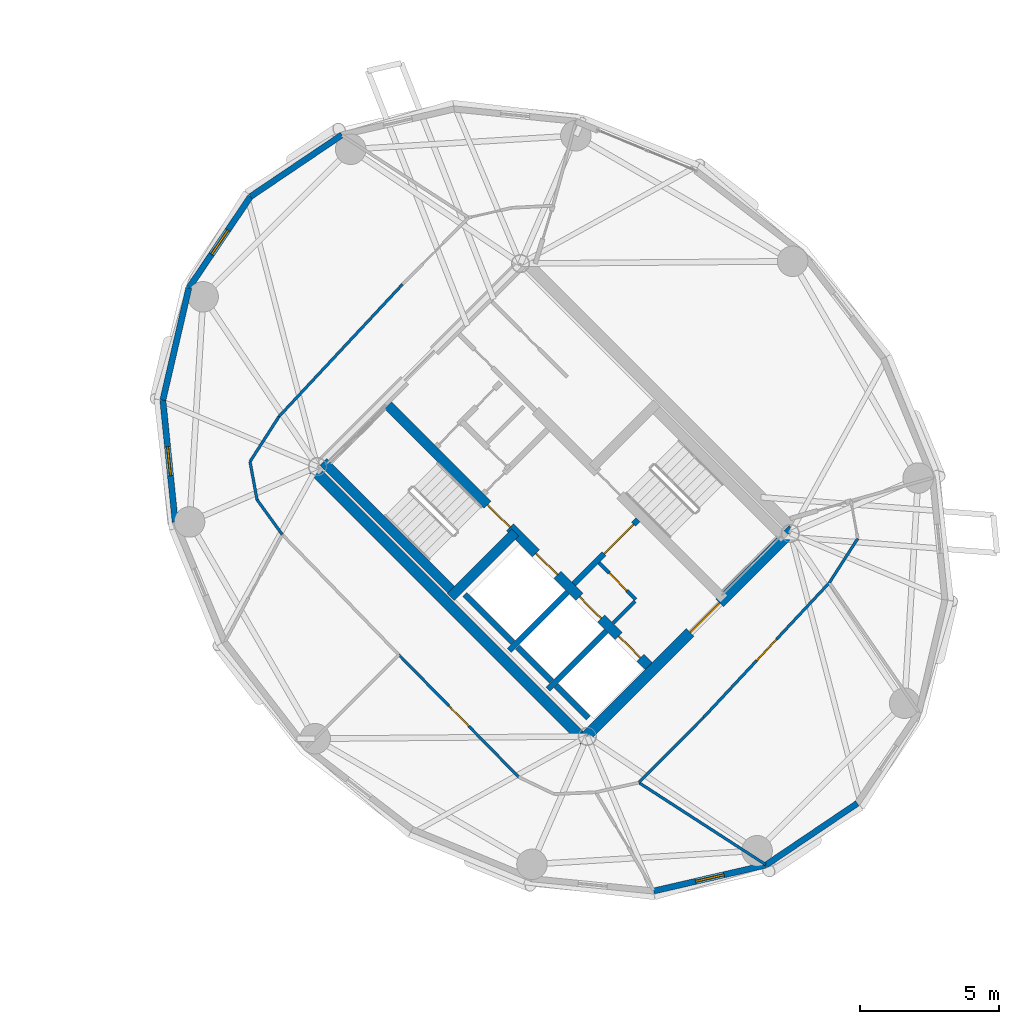
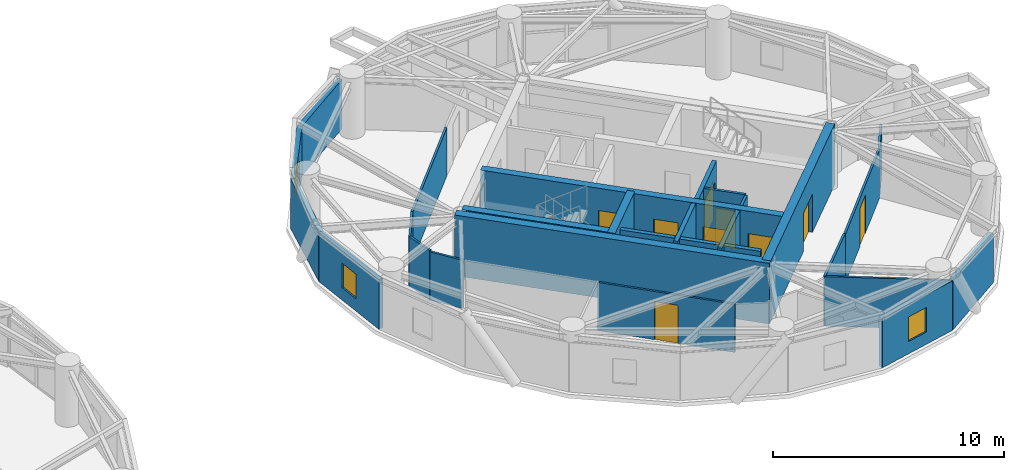
# One storey, part 11 of 15: 28 walls, 9 doors, 3 windows, 12 openings.
"""IFC4 building model written with IfcOpenShell, lengths in metres."""

from ifc_helpers import new_model, si_unit, direction, frame, frame_2d, origin, place, context, subcontext, project, spatial, rectangle, extrude, source, transform, mapped, material, layer, layer_set, type_object, element, fill, save


model = new_model("IFC4")

# Units and contexts
model_context = context("Model", 3, precision=1e-05, world=origin(), true_north=direction((0.0, 1.0)))
body_context = subcontext(model_context, "Body", "Model", "MODEL_VIEW")
ifc_project = project(units=[si_unit("LENGTHUNIT", "METRE"), si_unit("AREAUNIT", "SQUARE_METRE"), si_unit("VOLUMEUNIT", "CUBIC_METRE"), si_unit("PLANEANGLEUNIT", "RADIAN"), si_unit("MASSUNIT", "GRAM", prefix="KILO")], contexts=[model_context])

# Site, building, storey
site_placement = place(None, origin())
site = spatial("IfcSite", under=ifc_project, at=site_placement, CompositionType="ELEMENT")
building_placement = place(site_placement, origin())
building = spatial("IfcBuilding", under=site, at=building_placement, Name="Cununo Teusaquillo Station Towers", CompositionType="ELEMENT")
storey_placement = place(building_placement, frame((0.0, 0.0, 229.25)))
storey = spatial("IfcBuildingStorey", under=building, at=storey_placement, Name="L73", CompositionType="ELEMENT", Elevation=229.25)

# Walls
ifc_material_1 = material(Name="Concrete C50/60", Category="concrete")
ifc_layer_1 = layer(ifc_material_1, 0.199951171875)
ifc_layer_set_1 = layer_set([ifc_layer_1], Name="Concrete C50/60")
wall_type_1 = type_object("IfcWallType", Name="WL-CORE-200", PredefinedType="SHEAR", material=ifc_layer_set_1)
wall_1_placement = place(storey_placement, frame((55.8876953125, 19.0693359375, 0.0), z_axis=(0.0, 0.0, 1.0), x_axis=(0.707106781187, 0.707106781187, 0.0)))
element("IfcWall", 1, at=wall_1_placement, inside=storey, type_object=wall_type_1, Name="L73 Tower B Firefighting Lift Shaft South Shear Wall", PredefinedType="SHEAR", context=body_context, shape_type="SweptSolid", body=[
    extrude(rectangle(XDim=2.969970703125, YDim=0.199951171875, at=frame_2d((1.48486328125, 0.0))), origin(), (0.0, 0.0, 1.0), 3.199951171875),
])
wall_2_placement = place(storey_placement, frame((56.01513671875, 19.366455078125, 0.0), z_axis=(0.0, 0.0, 1.0), x_axis=(-0.707106781187, 0.707106781187, 0.0)))
element("IfcWall", 2, at=wall_2_placement, inside=storey, type_object=wall_type_1, Name="L73 Tower B Firefighting Lift Shaft Rear Shear Wall", PredefinedType="SHEAR", context=body_context, shape_type="SweptSolid", body=[
    extrude(rectangle(XDim=2.43994140625, YDim=0.199951171875, at=frame_2d((1.219970703125, 0.0))), origin(), (0.0, 0.0, 1.0), 3.199951171875),
])
wall_3_placement = place(storey_placement, frame((57.2841796875, 17.6728515625, 0.0), z_axis=(0.0, 0.0, 1.0), x_axis=(0.707147878904, 0.70706568108, 0.0)))
element("IfcWall", 3, at=wall_3_placement, inside=storey, type_object=wall_type_1, Name="L73 Tower B High-Rise Lift Hoistway Divider Shear Wall", PredefinedType="SHEAR", context=body_context, shape_type="SweptSolid", body=[
    extrude(rectangle(XDim=2.97021484375, YDim=0.199951171875, at=frame_2d((1.485107421875, 0.0))), origin(), (0.0, 0.0, 1.0), 3.199951171875),
])
wall_4_placement = place(storey_placement, frame((57.41162109375, 17.969970703125, 0.0), z_axis=(0.0, 0.0, 1.0), x_axis=(-0.707106781187, 0.707106781187, 0.0)))
element("IfcWall", 4, at=wall_4_placement, inside=storey, type_object=wall_type_1, Name="L73 Tower B High-Rise Lift 2 Shaft Rear Shear Wall", PredefinedType="SHEAR", context=body_context, shape_type="SweptSolid", body=[
    extrude(rectangle(XDim=1.73486328125, YDim=0.199951171875, at=frame_2d((0.867431640625, 0.0))), origin(), (0.0, 0.0, 1.0), 3.199951171875),
])
wall_5_placement = place(storey_placement, frame((58.7373046875, 16.64404296875, 0.0), z_axis=(0.0, 0.0, 1.0), x_axis=(-0.707032117043, 0.707181437447, 0.0)))
element("IfcWall", 5, at=wall_5_placement, inside=storey, type_object=wall_type_1, Name="L73 Tower B High-Rise Lift 1 Shaft Rear Shear Wall", PredefinedType="SHEAR", context=body_context, shape_type="SweptSolid", body=[
    extrude(rectangle(XDim=1.635009765625, YDim=0.199951171875, at=frame_2d((0.8173828125, 0.0))), origin(), (0.0, 0.0, 1.0), 3.199951171875),
])

# Wall, openings, doors
ifc_material_2 = material(Name="Concrete C50/60", Category="concrete")
ifc_layer_2 = layer(ifc_material_2, 0.35009765625)
ifc_layer_set_2 = layer_set([ifc_layer_2], Name="Concrete C50/60")
wall_type_2 = type_object("IfcWallType", Name="WL-CORE-350", PredefinedType="SHEAR", material=ifc_layer_set_2)
wall_6_placement = place(storey_placement, frame((61.060302734375, 18.372802734375, 0.0), z_axis=(0.0, 0.0, 1.0), x_axis=(-0.707106781187, 0.707106781187, 0.0)))
wall_6 = element("IfcWall", 6, at=wall_6_placement, inside=storey, type_object=wall_type_2, Name="L73 Tower B Core Shear Wall IW", PredefinedType="SHEAR", context=body_context, shape_type="SweptSolid", body=[
    extrude(rectangle(XDim=13.7001953125, YDim=0.35009765625, at=frame_2d((6.85009765625, 0.0))), origin(), (0.0, 0.0, 1.0), 3.199951171875),
])
shared_shape_1 = source(origin(), body_context, "Body", "SweptSolid", [
    extrude(rectangle(XDim=1.10009765625, YDim=2.014892578125, at=frame_2d((0.550048828125, 1.00732421875))), frame((0.0, 0.18505859375, 0.0), z_axis=(0.0, -1.0, 0.0), x_axis=(1.0, 0.0, 0.0)), (0.0, 0.0, 1.0), 0.3701171875),
])
opening_1_placement = place(wall_6_placement, frame((4.85009765625, 0.0, 0.0)))
opening_1 = element("IfcOpeningElement", 7, at=opening_1_placement, cuts=wall_6, Name="Opening LD-01", PredefinedType="OPENING", context=body_context, shape_type="MappedRepresentation", body=[
    mapped(shared_shape_1, transform((0.0, 0.0, 0.0), x_axis=(1.0, 0.0, 0.0), y_axis=(0.0, 1.0, 0.0), z_axis=(0.0, 0.0, 1.0), scale=1.0)),
])
opening_2_placement = place(wall_6_placement, frame((0.625, 0.0, 0.0)))
opening_2 = element("IfcOpeningElement", 8, at=opening_2_placement, cuts=wall_6, Name="Opening LD-01", PredefinedType="OPENING", context=body_context, shape_type="MappedRepresentation", body=[
    mapped(shared_shape_1, transform((0.0, 0.0, 0.0), x_axis=(1.0, 0.0, 0.0), y_axis=(0.0, 1.0, 0.0), z_axis=(0.0, 0.0, 1.0), scale=1.0)),
])
opening_3_placement = place(wall_6_placement, frame((2.625, 0.0, 0.0)))
opening_3 = element("IfcOpeningElement", 9, at=opening_3_placement, cuts=wall_6, Name="Opening LD-01", PredefinedType="OPENING", context=body_context, shape_type="MappedRepresentation", body=[
    mapped(shared_shape_1, transform((0.0, 0.0, 0.0), x_axis=(1.0, 0.0, 0.0), y_axis=(0.0, 1.0, 0.0), z_axis=(0.0, 0.0, 1.0), scale=1.0)),
])
shared_shape_2 = source(origin(), body_context, "Body", "SweptSolid", [
    extrude(rectangle(XDim=1.14990234375, YDim=2.02001953125, at=frame_2d((0.574951171875, 1.010009765625))), frame((0.0, 0.18505859375, 0.0), z_axis=(0.0, -1.0, 0.0), x_axis=(1.0, 0.0, 0.0)), (0.0, 0.0, 1.0), 0.3701171875),
])
opening_4_placement = place(wall_6_placement, frame((7.27001953125, 0.0, 0.0)))
opening_4 = element("IfcOpeningElement", 10, at=opening_4_placement, cuts=wall_6, Name="Opening D-ST1", PredefinedType="OPENING", context=body_context, shape_type="MappedRepresentation", body=[
    mapped(shared_shape_2, transform((0.0, 0.0, 0.0), x_axis=(1.0, 0.0, 0.0), y_axis=(0.0, 1.0, 0.0), z_axis=(0.0, 0.0, 1.0), scale=1.0)),
])
ifc_material_3 = material(Name="Galvanised fire-rated hollow steel door assembly", Category="steel")
door_type_1 = type_object("IfcDoorType", Name="DR-LIFT-1100", OperationType="SLIDING_TO_LEFT", PredefinedType="DOOR", material=ifc_material_3)
shared_shape_3 = source(origin(), body_context, "Body", "SweptSolid", [
    extrude(rectangle(XDim=1.10009765625, YDim=2.014892578125, at=frame_2d((0.550048828125, 1.00732421875))), frame((0.0, 0.02490234375, 0.0), z_axis=(0.0, -1.0, 0.0), x_axis=(1.0, 0.0, 0.0)), (0.0, 0.0, 1.0), 0.050048828125),
])
door_1_placement = place(opening_1_placement, origin())
door_1 = element("IfcDoor", 11, at=door_1_placement, inside=storey, type_object=door_type_1, Name="L73 Lift FL-T2 Sliding Landing Door", OperationType="SLIDING_TO_LEFT", OverallHeight=2.014892578125, OverallWidth=1.10009765625, PredefinedType="DOOR", context=body_context, shape_type="MappedRepresentation", body=[
    mapped(shared_shape_3, transform((0.0, 0.0, 0.0), x_axis=(1.0, 0.0, 0.0), y_axis=(0.0, 1.0, 0.0), z_axis=(0.0, 0.0, 1.0), scale=1.0)),
])
fill(opening_1, door_1)
door_2_placement = place(opening_2_placement, origin())
door_2 = element("IfcDoor", 12, at=door_2_placement, inside=storey, type_object=door_type_1, Name="L73 Lift PL-T2-H1 Sliding Landing Door", OperationType="SLIDING_TO_LEFT", OverallHeight=2.014892578125, OverallWidth=1.10009765625, PredefinedType="DOOR", context=body_context, shape_type="MappedRepresentation", body=[
    mapped(shared_shape_3, transform((0.0, 0.0, 0.0), x_axis=(1.0, 0.0, 0.0), y_axis=(0.0, 1.0, 0.0), z_axis=(0.0, 0.0, 1.0), scale=1.0)),
])
fill(opening_2, door_2)
door_3_placement = place(opening_3_placement, origin())
door_3 = element("IfcDoor", 13, at=door_3_placement, inside=storey, type_object=door_type_1, Name="L73 Lift PL-T2-H2 Sliding Landing Door", OperationType="SLIDING_TO_RIGHT", OverallHeight=2.014892578125, OverallWidth=1.10009765625, PredefinedType="DOOR", context=body_context, shape_type="MappedRepresentation", body=[
    mapped(shared_shape_3, transform((0.0, 0.0, 0.0), x_axis=(1.0, 0.0, 0.0), y_axis=(0.0, 1.0, 0.0), z_axis=(0.0, 0.0, 1.0), scale=1.0)),
])
fill(opening_3, door_3)
ifc_material_4 = material(Name="Galvanised fire-rated hollow steel door assembly", Category="steel")
door_type_2 = type_object("IfcDoorType", Name="DR-STAIR-1150", OperationType="NOTDEFINED", PredefinedType="DOOR", material=ifc_material_4)
shared_shape_4 = source(origin(), body_context, "Body", "SweptSolid", [
    extrude(rectangle(XDim=1.14990234375, YDim=2.02001953125, at=frame_2d((0.574951171875, 1.010009765625))), frame((0.0, 0.02490234375, 0.0), z_axis=(0.0, -1.0, 0.0), x_axis=(1.0, 0.0, 0.0)), (0.0, 0.0, 1.0), 0.050048828125),
])
door_4_placement = place(opening_4_placement, origin())
door_4 = element("IfcDoor", 14, at=door_4_placement, inside=storey, type_object=door_type_2, Name="L73 Tower B Exit Stair 1 Fire Door", OperationType="SINGLE_SWING_RIGHT", OverallHeight=2.02001953125, OverallWidth=1.14990234375, PredefinedType="DOOR", context=body_context, shape_type="MappedRepresentation", body=[
    mapped(shared_shape_4, transform((0.0, 0.0, 0.0), x_axis=(1.0, 0.0, 0.0), y_axis=(0.0, 1.0, 0.0), z_axis=(0.0, 0.0, 1.0), scale=1.0)),
])
fill(opening_4, door_4)

# Walls
wall_7_placement = place(storey_placement, frame((53.922119140625, 21.14111328125, 0.0), z_axis=(0.0, 0.0, 1.0), x_axis=(-0.707106781187, 0.707106781187, 0.0)))
element("IfcWall", 15, at=wall_7_placement, inside=storey, type_object=wall_type_2, Name="L73 Tower B Core Shear Wall ST1W", PredefinedType="SHEAR", context=body_context, shape_type="SweptSolid", body=[
    extrude(rectangle(XDim=6.695068359375, YDim=0.35009765625, at=frame_2d((3.34765625, 0.0))), origin(), (0.0, 0.0, 1.0), 3.199951171875),
])
wall_8_placement = place(storey_placement, frame((53.7841796875, 21.00341796875, 0.0), z_axis=(0.0, 0.0, 1.0), x_axis=(0.707106781187, 0.707106781187, 0.0)))
element("IfcWall", 16, at=wall_8_placement, inside=storey, type_object=wall_type_2, Name="L73 Tower B Core Shear Wall ST1S", PredefinedType="SHEAR", context=body_context, shape_type="SweptSolid", body=[
    extrude(rectangle(XDim=3.284912109375, YDim=0.35009765625, at=frame_2d((1.642578125, 0.0))), origin(), (0.0, 0.0, 1.0), 3.199951171875),
])
ifc_material_5 = material(Name="Concrete C50/60", Category="concrete")
ifc_layer_3 = layer(ifc_material_5, 0.39990234375)
ifc_layer_set_3 = layer_set([ifc_layer_3], Name="Concrete C50/60")
wall_type_3 = type_object("IfcWallType", Name="WL-CORE-400", PredefinedType="SHEAR", material=ifc_layer_set_3)
wall_9_placement = place(storey_placement, frame((58.7021484375, 15.73193359375, 0.0), z_axis=(0.0, 0.0, 1.0), x_axis=(-0.707106781187, 0.707106781187, 0.0)))
element("IfcWall", 17, at=wall_9_placement, inside=storey, type_object=wall_type_3, Name="L73 Tower B Core Shear Wall W", PredefinedType="SHEAR", context=body_context, shape_type="SweptSolid", body=[
    extrude(rectangle(XDim=14.10009765625, YDim=0.39990234375, at=frame_2d((7.050048828125, 0.0))), origin(), (0.0, 0.0, 1.0), 3.199951171875),
])

# Wall, opening, door
wall_10_placement = place(storey_placement, frame((58.560791015625, 15.873291015625, 0.0), z_axis=(0.0, 0.0, 1.0), x_axis=(0.707106781187, 0.707106781187, 0.0)))
wall_10 = element("IfcWall", 18, at=wall_10_placement, inside=storey, type_object=wall_type_3, Name="L73 Tower B Core Shear Wall S", PredefinedType="SHEAR", context=body_context, shape_type="SweptSolid", body=[
    extrude(rectangle(XDim=10.69970703125, YDim=0.39990234375, at=frame_2d((5.349853515625, 0.0))), origin(), (0.0, 0.0, 1.0), 3.199951171875),
])
shared_shape_5 = source(origin(), body_context, "Body", "SweptSolid", [
    extrude(rectangle(XDim=1.5, YDim=2.02001953125, at=frame_2d((0.75, 1.010009765625))), frame((0.0, 0.2099609375, 0.0), z_axis=(0.0, -1.0, 0.0), x_axis=(1.0, 0.0, 0.0)), (0.0, 0.0, 1.0), 0.419921875),
])
opening_5_placement = place(wall_10_placement, frame((5.449951171875, 0.0, 0.0)))
opening_5 = element("IfcOpeningElement", 19, at=opening_5_placement, cuts=wall_10, Name="Opening D-LB1", PredefinedType="OPENING", context=body_context, shape_type="MappedRepresentation", body=[
    mapped(shared_shape_5, transform((0.0, 0.0, 0.0), x_axis=(1.0, 0.0, 0.0), y_axis=(0.0, 1.0, 0.0), z_axis=(0.0, 0.0, 1.0), scale=1.0)),
])
ifc_material_6 = material(Name="Galvanised fire-rated hollow steel door assembly", Category="steel")
door_type_3 = type_object("IfcDoorType", Name="DR-LOBBY-1500", OperationType="DOUBLE_DOOR_SINGLE_SWING", PredefinedType="DOOR", material=ifc_material_6)
shared_shape_6 = source(origin(), body_context, "Body", "SweptSolid", [
    extrude(rectangle(XDim=1.5, YDim=2.02001953125, at=frame_2d((0.75, 1.010009765625))), frame((0.0, 0.02490234375, 0.0), z_axis=(0.0, -1.0, 0.0), x_axis=(1.0, 0.0, 0.0)), (0.0, 0.0, 1.0), 0.050048828125),
])
door_5_placement = place(opening_5_placement, origin())
door_5 = element("IfcDoor", 20, at=door_5_placement, inside=storey, type_object=door_type_3, Name="L73 Tower B South Core Lift Lobby Door", OperationType="DOUBLE_DOOR_SINGLE_SWING", OverallHeight=2.02001953125, OverallWidth=1.5, PredefinedType="DOOR", context=body_context, shape_type="MappedRepresentation", body=[
    mapped(shared_shape_6, transform((0.0, 0.0, 0.0), x_axis=(1.0, 0.0, 0.0), y_axis=(0.0, 1.0, 0.0), z_axis=(0.0, 0.0, 1.0), scale=1.0)),
])
fill(opening_5, door_5)

# Wall
ifc_material_7 = material(Name="Precast concrete C40/50", Category="concrete")
ifc_layer_4 = layer(ifc_material_7, 0.219970703125)
ifc_layer_set_4 = layer_set([ifc_layer_4], Name="Precast concrete C40/50")
wall_type_4 = type_object("IfcWallType", Name="WL-EXT-220", PredefinedType="SOLIDWALL", material=ifc_layer_set_4)
wall_11_placement = place(storey_placement, frame((46.56103515625, 35.43896484375, 0.0), z_axis=(0.0, 0.0, 1.0), x_axis=(0.828833723692, 0.559495003079, 0.0)))
element("IfcWall", 21, at=wall_11_placement, inside=storey, type_object=wall_type_4, Name="L73 Tower B Exterior Facade Wall C04", PredefinedType="SOLIDWALL", context=body_context, shape_type="SweptSolid", body=[
    extrude(rectangle(XDim=3.9755859375, YDim=0.219970703125, at=frame_2d((1.98779296875, 0.0))), origin(), (0.0, 0.0, 1.0), 2.612060546875),
])

# Wall, opening, window
wall_12_placement = place(storey_placement, frame((44.336669921875, 32.143798828125, 0.0), z_axis=(0.0, 0.0, 1.0), x_axis=(0.559495003079, 0.828833723692, 0.0)))
wall_12 = element("IfcWall", 22, at=wall_12_placement, inside=storey, type_object=wall_type_4, Name="L73 Tower B Exterior Facade Wall C05", PredefinedType="SOLIDWALL", context=body_context, shape_type="SweptSolid", body=[
    extrude(rectangle(XDim=3.9755859375, YDim=0.219970703125, at=frame_2d((1.98779296875, 0.0))), origin(), (0.0, 0.0, 1.0), 2.612060546875),
])
shared_shape_7 = source(origin(), body_context, "Body", "SweptSolid", [
    extrude(rectangle(XDim=1.050048828125, YDim=1.300048828125, at=frame_2d((0.52490234375, 0.64990234375))), frame((0.0, 0.119873046875, 0.0), z_axis=(0.0, -1.0, 0.0), x_axis=(1.0, 0.0, 0.0)), (0.0, 0.0, 1.0), 0.239990234375),
])
opening_6_placement = place(wall_12_placement, frame((1.462890625, 0.0, 0.64990234375)))
opening_6 = element("IfcOpeningElement", 23, at=opening_6_placement, cuts=wall_12, Name="Opening WN-04", PredefinedType="OPENING", context=body_context, shape_type="MappedRepresentation", body=[
    mapped(shared_shape_7, transform((0.0, 0.0, 0.0), x_axis=(1.0, 0.0, 0.0), y_axis=(0.0, 1.0, 0.0), z_axis=(0.0, 0.0, 1.0), scale=1.0)),
])
ifc_material_8 = material(Name="Operable acoustic tinted low-E double glazing", Category="glass")
window_type = type_object("IfcWindowType", Name="WIN-BAL-1050", PartitioningType="SINGLE_PANEL", PredefinedType="WINDOW", material=ifc_material_8)
shared_shape_8 = source(origin(), body_context, "Body", "SweptSolid", [
    extrude(rectangle(XDim=1.050048828125, YDim=1.300048828125, at=frame_2d((0.52490234375, 0.64990234375))), frame((0.0, 0.030029296875, 0.0), z_axis=(0.0, -1.0, 0.0), x_axis=(1.0, 0.0, 0.0)), (0.0, 0.0, 1.0), 0.06005859375),
])
window_1_placement = place(opening_6_placement, origin())
window_1 = element("IfcWindow", 24, at=window_1_placement, inside=storey, type_object=window_type, Name="L73 Tower B Facade Window C05", OverallHeight=1.300048828125, OverallWidth=1.050048828125, PartitioningType="SINGLE_PANEL", PredefinedType="WINDOW", context=body_context, shape_type="MappedRepresentation", body=[
    mapped(shared_shape_8, transform((0.0, 0.0, 0.0), x_axis=(1.0, 0.0, 0.0), y_axis=(0.0, 1.0, 0.0), z_axis=(0.0, 0.0, 1.0), scale=1.0)),
])
fill(opening_6, window_1)

# Wall
wall_13_placement = place(storey_placement, frame((43.40087890625, 28.100341796875, 0.0), z_axis=(0.0, 0.0, 1.0), x_axis=(0.225473813158, 0.974249228678, 0.0)))
element("IfcWall", 25, at=wall_13_placement, inside=storey, type_object=wall_type_4, Name="L73 Tower B Exterior Facade Wall C06", PredefinedType="SOLIDWALL", context=body_context, shape_type="SweptSolid", body=[
    extrude(rectangle(XDim=4.150390625, YDim=0.219970703125, at=frame_2d((2.0751953125, 0.0))), origin(), (0.0, 0.0, 1.0), 2.612060546875),
])

# Wall, opening, window
wall_14_placement = place(storey_placement, frame((43.84521484375, 23.70458984375, 0.0), z_axis=(0.0, 0.0, 1.0), x_axis=(-0.100570534541, 0.994929930991, 0.0)))
wall_14 = element("IfcWall", 26, at=wall_14_placement, inside=storey, type_object=wall_type_4, Name="L73 Tower B Exterior Facade Wall C07", PredefinedType="SOLIDWALL", context=body_context, shape_type="SweptSolid", body=[
    extrude(rectangle(XDim=4.418212890625, YDim=0.219970703125, at=frame_2d((2.208984375, 0.0))), origin(), (0.0, 0.0, 1.0), 2.612060546875),
])
opening_7_placement = place(wall_14_placement, frame((1.68408203125, 0.0, 0.64990234375)))
opening_7 = element("IfcOpeningElement", 27, at=opening_7_placement, cuts=wall_14, Name="Opening WN-04", PredefinedType="OPENING", context=body_context, shape_type="MappedRepresentation", body=[
    mapped(shared_shape_7, transform((0.0, 0.0, 0.0), x_axis=(1.0, 0.0, 0.0), y_axis=(0.0, 1.0, 0.0), z_axis=(0.0, 0.0, 1.0), scale=1.0)),
])
window_2_placement = place(opening_7_placement, origin())
window_2 = element("IfcWindow", 28, at=window_2_placement, inside=storey, type_object=window_type, Name="L73 Tower B Facade Window C07", OverallHeight=1.300048828125, OverallWidth=1.050048828125, PartitioningType="SINGLE_PANEL", PredefinedType="WINDOW", context=body_context, shape_type="MappedRepresentation", body=[
    mapped(shared_shape_8, transform((0.0, 0.0, 0.0), x_axis=(1.0, 0.0, 0.0), y_axis=(0.0, 1.0, 0.0), z_axis=(0.0, 0.0, 1.0), scale=1.0)),
])
fill(opening_7, window_2)

wall_15_placement = place(storey_placement, frame((65.143798828125, 11.336669921875, 0.0), z_axis=(0.0, 0.0, 1.0), x_axis=(-0.974249228678, -0.225473813158, 0.0)))
wall_15 = element("IfcWall", 29, at=wall_15_placement, inside=storey, type_object=wall_type_4, Name="L73 Tower B Exterior Facade Wall C13", PredefinedType="SOLIDWALL", context=body_context, shape_type="SweptSolid", body=[
    extrude(rectangle(XDim=4.150390625, YDim=0.219970703125, at=frame_2d((2.0751953125, 0.0))), origin(), (0.0, 0.0, 1.0), 2.612060546875),
])
opening_8_placement = place(wall_15_placement, frame((1.550048828125, 0.0, 0.64990234375)))
opening_8 = element("IfcOpeningElement", 30, at=opening_8_placement, cuts=wall_15, Name="Opening WN-04", PredefinedType="OPENING", context=body_context, shape_type="MappedRepresentation", body=[
    mapped(shared_shape_7, transform((0.0, 0.0, 0.0), x_axis=(1.0, 0.0, 0.0), y_axis=(0.0, 1.0, 0.0), z_axis=(0.0, 0.0, 1.0), scale=1.0)),
])
window_3_placement = place(opening_8_placement, origin())
window_3 = element("IfcWindow", 31, at=window_3_placement, inside=storey, type_object=window_type, Name="L73 Tower B Facade Window C13", OverallHeight=1.300048828125, OverallWidth=1.050048828125, PartitioningType="SINGLE_PANEL", PredefinedType="WINDOW", context=body_context, shape_type="MappedRepresentation", body=[
    mapped(shared_shape_8, transform((0.0, 0.0, 0.0), x_axis=(1.0, 0.0, 0.0), y_axis=(0.0, 1.0, 0.0), z_axis=(0.0, 0.0, 1.0), scale=1.0)),
])
fill(opening_8, window_3)

# Walls
wall_16_placement = place(storey_placement, frame((68.43896484375, 13.56103515625, 0.0), z_axis=(0.0, 0.0, 1.0), x_axis=(-0.828833723692, -0.559495003079, 0.0)))
element("IfcWall", 32, at=wall_16_placement, inside=storey, type_object=wall_type_4, Name="L73 Tower B Exterior Facade Wall C14", PredefinedType="SOLIDWALL", context=body_context, shape_type="SweptSolid", body=[
    extrude(rectangle(XDim=3.9755859375, YDim=0.219970703125, at=frame_2d((1.98779296875, 0.0))), origin(), (0.0, 0.0, 1.0), 2.612060546875),
])
ifc_material_9 = material(Name="Fire-rated gypsum plasterboard partition assembly", Category="gypsum")
ifc_layer_5 = layer(ifc_material_9, 0.10009765625)
ifc_layer_set_5 = layer_set([ifc_layer_5], Name="Fire-rated gypsum plasterboard partition assembly")
wall_type_5 = type_object("IfcWallType", Name="WL-PART-100", PredefinedType="MOVABLE", material=ifc_layer_set_5)
wall_17_placement = place(storey_placement, frame((52.04345703125, 32.27978515625, 0.0), z_axis=(0.0, 0.0, 1.0), x_axis=(-0.682606081633, -0.730786519661, 0.0)))
element("IfcWall", 33, at=wall_17_placement, inside=storey, type_object=wall_type_5, Name="L73 Tower B Corridor Ring Wall C05", PredefinedType="MOVABLE", context=body_context, shape_type="SweptSolid", body=[
    extrude(rectangle(XDim=6.526611328125, YDim=0.10009765625, at=frame_2d((3.26318359375, 0.0))), origin(), (0.0, 0.0, 1.0), 2.544921875),
])
wall_18_placement = place(storey_placement, frame((47.58837890625, 27.51025390625, 0.0), z_axis=(0.0, 0.0, 1.0), x_axis=(-0.540202619347, -0.841534984449, 0.0)))
element("IfcWall", 34, at=wall_18_placement, inside=storey, type_object=wall_type_5, Name="L73 Tower B Corridor Ring Wall C06", PredefinedType="MOVABLE", context=body_context, shape_type="SweptSolid", body=[
    extrude(rectangle(XDim=1.934814453125, YDim=0.10009765625, at=frame_2d((0.96728515625, 0.0))), origin(), (0.0, 0.0, 1.0), 2.544921875),
])
wall_19_placement = place(storey_placement, frame((46.543212890625, 25.882080078125, 0.0), z_axis=(0.0, 0.0, 1.0), x_axis=(0.181153502579, -0.983454832976, 0.0)))
element("IfcWall", 35, at=wall_19_placement, inside=storey, type_object=wall_type_5, Name="L73 Tower B Corridor Ring Wall C07", PredefinedType="MOVABLE", context=body_context, shape_type="SweptSolid", body=[
    extrude(rectangle(XDim=1.39208984375, YDim=0.10009765625, at=frame_2d((0.696044921875, 0.0))), origin(), (0.0, 0.0, 1.0), 2.612060546875),
])
wall_20_placement = place(storey_placement, frame((46.79541015625, 24.512939453125, 0.0), z_axis=(0.0, 0.0, 1.0), x_axis=(0.585628197524, -0.810579801294, 0.0)))
element("IfcWall", 36, at=wall_20_placement, inside=storey, type_object=wall_type_5, Name="L73 Tower B Corridor Ring Wall C08", PredefinedType="MOVABLE", context=body_context, shape_type="SweptSolid", body=[
    extrude(rectangle(XDim=1.55419921875, YDim=0.10009765625, at=frame_2d((0.777099609375, 0.0))), origin(), (0.0, 0.0, 1.0), 2.544921875),
])

# Wall, opening, door
wall_21_placement = place(storey_placement, frame((51.913818359375, 18.913818359375, 0.0), z_axis=(0.0, 0.0, 1.0), x_axis=(0.699999313799, -0.714143515465, 0.0)))
wall_21 = element("IfcWall", 37, at=wall_21_placement, inside=storey, type_object=wall_type_5, Name="L73 Tower B Corridor Ring Wall C10", PredefinedType="MOVABLE", context=body_context, shape_type="SweptSolid", body=[
    extrude(rectangle(XDim=6.162109375, YDim=0.10009765625, at=frame_2d((3.0810546875, 0.0))), origin(), (0.0, 0.0, 1.0), 2.544921875),
])
shared_shape_9 = source(origin(), body_context, "Body", "SweptSolid", [
    extrude(rectangle(XDim=1.050048828125, YDim=2.014892578125, at=frame_2d((0.52490234375, 1.00732421875))), frame((0.0, 0.06005859375, 0.0), z_axis=(0.0, -1.0, 0.0), x_axis=(1.0, 0.0, 0.0)), (0.0, 0.0, 1.0), 0.1201171875),
])
opening_9_placement = place(wall_21_placement, frame((2.55615234375, 0.0, 0.0)))
opening_9 = element("IfcOpeningElement", 38, at=opening_9_placement, cuts=wall_21, Name="Opening D-SU1", PredefinedType="OPENING", context=body_context, shape_type="MappedRepresentation", body=[
    mapped(shared_shape_9, transform((0.0, 0.0, 0.0), x_axis=(1.0, 0.0, 0.0), y_axis=(0.0, 1.0, 0.0), z_axis=(0.0, 0.0, 1.0), scale=1.0)),
])
ifc_material_10 = material(Name="Acoustic solid-core hardwood leaf assembly", Category="wood")
door_type_4 = type_object("IfcDoorType", Name="DR-SUITE-1050", OperationType="NOTDEFINED", PredefinedType="DOOR", material=ifc_material_10)
shared_shape_10 = source(origin(), body_context, "Body", "SweptSolid", [
    extrude(rectangle(XDim=1.050048828125, YDim=2.014892578125, at=frame_2d((0.52490234375, 1.00732421875))), frame((0.0, 0.02490234375, 0.0), z_axis=(0.0, -1.0, 0.0), x_axis=(1.0, 0.0, 0.0)), (0.0, 0.0, 1.0), 0.050048828125),
])
door_6_placement = place(opening_9_placement, origin())
door_6 = element("IfcDoor", 39, at=door_6_placement, inside=storey, type_object=door_type_4, Name="L73 Tower B Interactive Altitude & Climate Exhibit Entrance Door", OperationType="SINGLE_SWING_RIGHT", OverallHeight=2.014892578125, OverallWidth=1.050048828125, PredefinedType="DOOR", context=body_context, shape_type="MappedRepresentation", body=[
    mapped(shared_shape_10, transform((0.0, 0.0, 0.0), x_axis=(1.0, 0.0, 0.0), y_axis=(0.0, 1.0, 0.0), z_axis=(0.0, 0.0, 1.0), scale=1.0)),
])
fill(opening_9, door_6)

# Wall
wall_22_placement = place(storey_placement, frame((60.5625, 14.3095703125, 0.0), z_axis=(0.0, 0.0, 1.0), x_axis=(0.704566236161, 0.709638230975, 0.0)))
element("IfcWall", 40, at=wall_22_placement, inside=storey, type_object=wall_type_5, Name="L73 Tower B Corridor Ring Wall C14", PredefinedType="MOVABLE", context=body_context, shape_type="SweptSolid", body=[
    extrude(rectangle(XDim=3.3212890625, YDim=0.10009765625, at=frame_2d((1.66064453125, 0.0))), origin(), (0.0, 0.0, 1.0), 2.612060546875),
])

# Wall, opening, door
wall_23_placement = place(storey_placement, frame((62.902587890625, 16.66650390625, 0.0), z_axis=(0.0, 0.0, 1.0), x_axis=(0.682371947497, 0.731005147225, 0.0)))
wall_23 = element("IfcWall", 41, at=wall_23_placement, inside=storey, type_object=wall_type_5, Name="L73 Tower B Corridor Ring Wall C15", PredefinedType="MOVABLE", context=body_context, shape_type="SweptSolid", body=[
    extrude(rectangle(XDim=6.6416015625, YDim=0.10009765625, at=frame_2d((3.32080078125, 0.0))), origin(), (0.0, 0.0, 1.0), 2.544921875),
])
opening_10_placement = place(wall_23_placement, frame((2.7958984375, 0.0, 0.0)))
opening_10 = element("IfcOpeningElement", 42, at=opening_10_placement, cuts=wall_23, Name="Opening D-SU1", PredefinedType="OPENING", context=body_context, shape_type="MappedRepresentation", body=[
    mapped(shared_shape_9, transform((0.0, 0.0, 0.0), x_axis=(1.0, 0.0, 0.0), y_axis=(0.0, 1.0, 0.0), z_axis=(0.0, 0.0, 1.0), scale=1.0)),
])
door_7_placement = place(opening_10_placement, origin())
door_7 = element("IfcDoor", 43, at=door_7_placement, inside=storey, type_object=door_type_4, Name="L73 Tower B Observatory Cafe & Gift Salon Entrance Door", OperationType="SINGLE_SWING_RIGHT", OverallHeight=2.014892578125, OverallWidth=1.050048828125, PredefinedType="DOOR", context=body_context, shape_type="MappedRepresentation", body=[
    mapped(shared_shape_10, transform((0.0, 0.0, 0.0), x_axis=(1.0, 0.0, 0.0), y_axis=(0.0, 1.0, 0.0), z_axis=(0.0, 0.0, 1.0), scale=1.0)),
])
fill(opening_10, door_7)

# Walls
wall_24_placement = place(storey_placement, frame((67.4345703125, 21.521484375, 0.0), z_axis=(0.0, 0.0, 1.0), x_axis=(0.540777197838, 0.841165870859, 0.0)))
element("IfcWall", 44, at=wall_24_placement, inside=storey, type_object=wall_type_5, Name="L73 Tower B Corridor Ring Wall C16", PredefinedType="MOVABLE", context=body_context, shape_type="SweptSolid", body=[
    extrude(rectangle(XDim=1.887939453125, YDim=0.10009765625, at=frame_2d((0.94384765625, 0.0))), origin(), (0.0, 0.0, 1.0), 2.544921875),
])
wall_25_placement = place(storey_placement, frame((60.5625, 14.3095703125, 0.0), z_axis=(0.0, 0.0, 1.0), x_axis=(0.839858797161, -0.542804938105, 0.0)))
element("IfcWall", 45, at=wall_25_placement, inside=storey, type_object=wall_type_5, Name="L73 Tower B Radial Suite Partition R04", PredefinedType="MOVABLE", context=body_context, shape_type="SweptSolid", body=[
    extrude(rectangle(XDim=5.444091796875, YDim=0.10009765625, at=frame_2d((2.72216796875, 0.0))), origin(), (0.0, 0.0, 1.0), 2.612060546875),
])

# Wall, opening, door
ifc_material_11 = material(Name="Fire-rated gypsum plasterboard partition assembly", Category="gypsum")
ifc_layer_6 = layer(ifc_material_11, 0.125)
ifc_layer_set_6 = layer_set([ifc_layer_6], Name="Fire-rated gypsum plasterboard partition assembly")
wall_type_6 = type_object("IfcWallType", Name="WL-PART-125", PredefinedType="PARTITIONING", material=ifc_layer_set_6)
wall_26_placement = place(storey_placement, frame((60.448486328125, 20.9150390625, 0.0), z_axis=(0.0, 0.0, 1.0), x_axis=(-0.707106781187, 0.707106781187, 0.0)))
wall_26 = element("IfcWall", 46, at=wall_26_placement, inside=storey, type_object=wall_type_6, Name="L73 Tower B North-West Lobby Store East Wall", PredefinedType="PARTITIONING", context=body_context, shape_type="SweptSolid", body=[
    extrude(rectangle(XDim=1.869873046875, YDim=0.125, at=frame_2d((0.93505859375, 0.0))), origin(), (0.0, 0.0, 1.0), 2.97509765625),
])
shared_shape_11 = source(origin(), body_context, "Body", "SweptSolid", [
    extrude(rectangle(XDim=0.89990234375, YDim=2.0048828125, at=frame_2d((0.449951171875, 1.00244140625))), frame((0.0, 0.072509765625, 0.0), z_axis=(0.0, -1.0, 0.0), x_axis=(1.0, 0.0, 0.0)), (0.0, 0.0, 1.0), 0.14501953125),
])
opening_11_placement = place(wall_26_placement, frame((0.449951171875, 0.0, 0.0)))
opening_11 = element("IfcOpeningElement", 47, at=opening_11_placement, cuts=wall_26, Name="Opening D-SR1", PredefinedType="OPENING", context=body_context, shape_type="MappedRepresentation", body=[
    mapped(shared_shape_11, transform((0.0, 0.0, 0.0), x_axis=(1.0, 0.0, 0.0), y_axis=(0.0, 1.0, 0.0), z_axis=(0.0, 0.0, 1.0), scale=1.0)),
])
ifc_material_12 = material(Name="Galvanised fire-rated hollow steel door assembly", Category="steel")
door_type_5 = type_object("IfcDoorType", Name="DR-STORE-900", OperationType="NOTDEFINED", PredefinedType="DOOR", material=ifc_material_12)
shared_shape_12 = source(origin(), body_context, "Body", "SweptSolid", [
    extrude(rectangle(XDim=0.89990234375, YDim=2.0048828125, at=frame_2d((0.449951171875, 1.00244140625))), frame((0.0, 0.02490234375, 0.0), z_axis=(0.0, -1.0, 0.0), x_axis=(1.0, 0.0, 0.0)), (0.0, 0.0, 1.0), 0.050048828125),
])
door_8_placement = place(opening_11_placement, origin())
door_8 = element("IfcDoor", 48, at=door_8_placement, inside=storey, type_object=door_type_5, Name="L73 Tower B South Lobby Data Store Door", OperationType="SINGLE_SWING_RIGHT", OverallHeight=2.0048828125, OverallWidth=0.89990234375, PredefinedType="DOOR", context=body_context, shape_type="MappedRepresentation", body=[
    mapped(shared_shape_12, transform((0.0, 0.0, 0.0), x_axis=(1.0, 0.0, 0.0), y_axis=(0.0, 1.0, 0.0), z_axis=(0.0, 0.0, 1.0), scale=1.0)),
])
fill(opening_11, door_8)

# Wall
wall_27_placement = place(storey_placement, frame((59.642578125, 20.06640625, 0.0), z_axis=(0.0, 0.0, 1.0), x_axis=(0.707106781187, 0.707106781187, 0.0)))
element("IfcWall", 49, at=wall_27_placement, inside=storey, type_object=wall_type_6, Name="L73 Tower B North-West Lobby Store South Wall", PredefinedType="PARTITIONING", context=body_context, shape_type="SweptSolid", body=[
    extrude(rectangle(XDim=1.10009765625, YDim=0.125, at=frame_2d((0.550048828125, 0.0))), origin(), (0.0, 0.0, 1.0), 2.97509765625),
])

# Wall, opening, door
ifc_material_13 = material(Name="Fire-rated gypsum plasterboard partition assembly", Category="gypsum")
ifc_layer_7 = layer(ifc_material_13, 0.199951171875)
ifc_layer_set_7 = layer_set([ifc_layer_7], Name="Fire-rated gypsum plasterboard partition assembly")
wall_type_7 = type_object("IfcWallType", Name="WL-PART-200", PredefinedType="PARTITIONING", material=ifc_layer_set_7)
wall_28_placement = place(storey_placement, frame((58.214111328125, 21.466552734375, 0.0), z_axis=(0.0, 0.0, 1.0), x_axis=(0.707106781187, 0.707106781187, 0.0)))
wall_28 = element("IfcWall", 50, at=wall_28_placement, inside=storey, type_object=wall_type_7, Name="L73 Tower B Firefighting Lift Lobby South Fire Wall", PredefinedType="PARTITIONING", context=body_context, shape_type="SweptSolid", body=[
    extrude(rectangle(XDim=3.280029296875, YDim=0.199951171875, at=frame_2d((1.64013671875, 0.0))), origin(), (0.0, 0.0, 1.0), 2.97509765625),
])
shared_shape_13 = source(origin(), body_context, "Body", "SweptSolid", [
    extrude(rectangle(XDim=1.5, YDim=2.02001953125, at=frame_2d((0.75, 1.010009765625))), frame((0.0, 0.10986328125, 0.0), z_axis=(0.0, -1.0, 0.0), x_axis=(1.0, 0.0, 0.0)), (0.0, 0.0, 1.0), 0.219970703125),
])
opening_12_placement = place(wall_28_placement, frame((1.550048828125, 0.0, 0.0)))
opening_12 = element("IfcOpeningElement", 51, at=opening_12_placement, cuts=wall_28, Name="Opening D-LB1", PredefinedType="OPENING", context=body_context, shape_type="MappedRepresentation", body=[
    mapped(shared_shape_13, transform((0.0, 0.0, 0.0), x_axis=(1.0, 0.0, 0.0), y_axis=(0.0, 1.0, 0.0), z_axis=(0.0, 0.0, 1.0), scale=1.0)),
])
door_9_placement = place(opening_12_placement, origin())
door_9 = element("IfcDoor", 52, at=door_9_placement, inside=storey, type_object=door_type_3, Name="L73 Tower B Firefighting Lift Lobby South Fire Door", OperationType="DOUBLE_DOOR_SINGLE_SWING", OverallHeight=2.02001953125, OverallWidth=1.5, PredefinedType="DOOR", context=body_context, shape_type="MappedRepresentation", body=[
    mapped(shared_shape_6, transform((0.0, 0.0, 0.0), x_axis=(1.0, 0.0, 0.0), y_axis=(0.0, 1.0, 0.0), z_axis=(0.0, 0.0, 1.0), scale=1.0)),
])
fill(opening_12, door_9)

save(model, "model.ifc")
